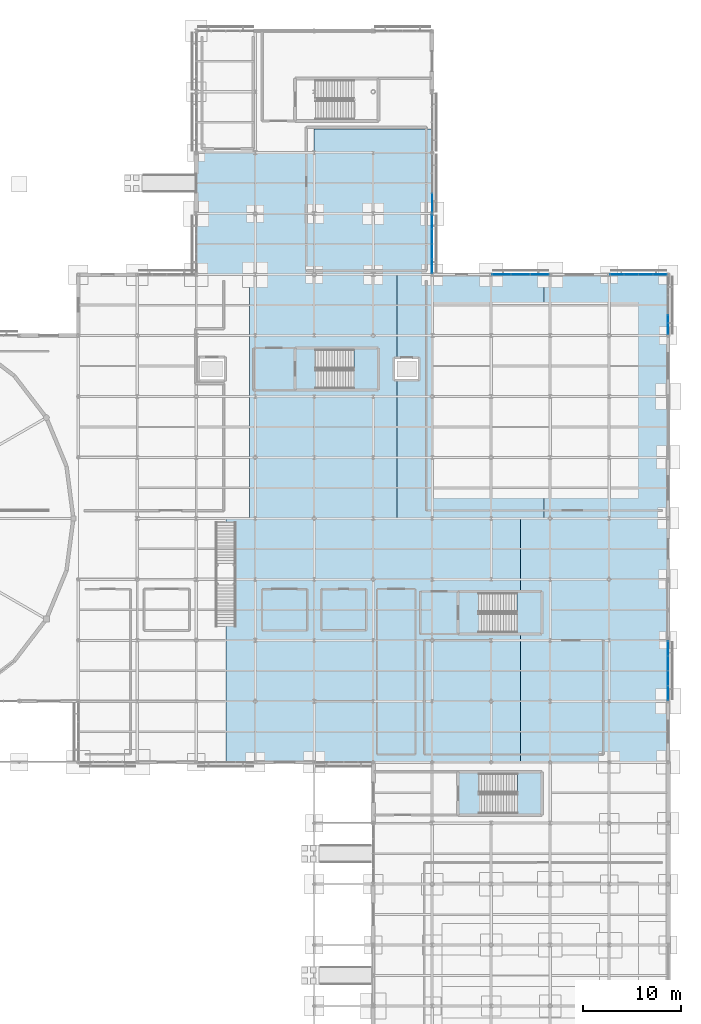
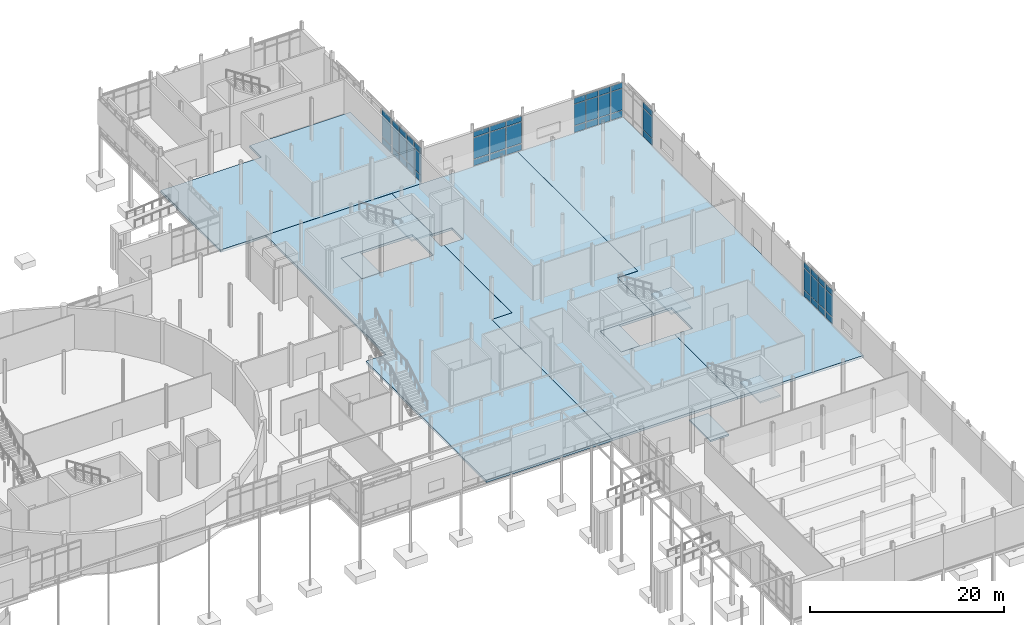
# One storey, part 65 of 98: 51 plates, 10 slabs, 9 elements without a shape of their own.
"""IFC4 building model written with IfcOpenShell, lengths in metres."""

from ifc_helpers import new_model, si_unit, direction, frame, origin, origin_2d, place, context, subcontext, project, spatial, polyline, rectangle, outline, extrude, material, layer, layer_set, type_object, element, aggregate, save


model = new_model("IFC4")

# Units and contexts
model_context = context("Model", 3, precision=1e-05, world=origin(), true_north=direction((0.0, 1.0)))
body_context = subcontext(model_context, "Body", "Model", "MODEL_VIEW")
ifc_project = project(units=[si_unit("LENGTHUNIT", "METRE"), si_unit("AREAUNIT", "SQUARE_METRE"), si_unit("VOLUMEUNIT", "CUBIC_METRE"), si_unit("PLANEANGLEUNIT", "RADIAN"), si_unit("MASSUNIT", "GRAM", prefix="KILO")], contexts=[model_context])

# Site, building, storey
site_placement = place(None, origin())
site = spatial("IfcSite", under=ifc_project, at=site_placement, CompositionType="ELEMENT")
building_placement = place(site_placement, origin())
building = spatial("IfcBuilding", under=site, at=building_placement, Name="Mirzam Square Science Centre", CompositionType="ELEMENT")
storey_placement = place(building_placement, origin())
storey = spatial("IfcBuildingStorey", under=building, at=storey_placement, Name="L00", CompositionType="ELEMENT", Elevation=0.0)

# Curtain wall, plates
ifc_material_1 = material(Name="Anodised Aluminium and Low-E Solar Glass", Category="aluminium")
ifc_layer_1 = layer(ifc_material_1, 0.159912109375)
ifc_layer_set_1 = layer_set([ifc_layer_1], Name="CW-COURT-B")
curtain_wall_type_1 = type_object("IfcCurtainWallType", Name="CW-COURT-B", PredefinedType="USERDEFINED", material=ifc_layer_set_1)
curtain_wall_1_placement = place(storey_placement, origin())
curtain_wall_1 = element("IfcCurtainWall", 1, at=curtain_wall_1_placement, inside=storey, type_object=curtain_wall_type_1, Name="L00 unitised curtain wall 67", ObjectType="UNITISED CURTAIN WALL", PredefinedType="USERDEFINED")
ifc_material_2 = material(Name="Ceramic-Fritted Courtyard Solar Glass", Category="glass")
ifc_layer_2 = layer(ifc_material_2, 0.02392578125)
ifc_layer_set_2 = layer_set([ifc_layer_2], Name="CWP-GLZ-24")
plate_type_1 = type_object("IfcPlateType", Name="CWP-GLZ-24", PredefinedType="CURTAIN_PANEL", material=ifc_layer_set_2)
plate_1_placement = place(storey_placement, frame((162.0, 44.231201171875, 0.06005859375), z_axis=(0.0, 0.0, 1.0), x_axis=(0.0, 1.0, 0.0)))
plate_1 = element("IfcPlate", 2, at=plate_1_placement, type_object=plate_type_1, Name="CW-04 panel 1.1", PredefinedType="CURTAIN_PANEL", context=body_context, shape_type="SweptSolid", body=[
    extrude(rectangle(XDim=1.4326171875, YDim=0.02392578125, at=origin_2d()), origin(), (0.0, 0.0, 1.0), 0.81005859375),
])
plate_2_placement = place(storey_placement, frame((162.0, 44.231201171875, 0.93017578125), z_axis=(0.0, 0.0, 1.0), x_axis=(0.0, 1.0, 0.0)))
plate_2 = element("IfcPlate", 3, at=plate_2_placement, type_object=plate_type_1, Name="CW-04 panel 1.2", PredefinedType="CURTAIN_PANEL", context=body_context, shape_type="SweptSolid", body=[
    extrude(rectangle(XDim=1.4326171875, YDim=0.02392578125, at=origin_2d()), origin(), (0.0, 0.0, 1.0), 2.679931640625),
])
plate_3_placement = place(storey_placement, frame((162.0, 44.231201171875, 3.669921875), z_axis=(0.0, 0.0, 1.0), x_axis=(0.0, 1.0, 0.0)))
plate_3 = element("IfcPlate", 4, at=plate_3_placement, type_object=plate_type_1, Name="CW-04 panel 1.3", PredefinedType="CURTAIN_PANEL", context=body_context, shape_type="SweptSolid", body=[
    extrude(rectangle(XDim=1.4326171875, YDim=0.02392578125, at=origin_2d()), origin(), (0.0, 0.0, 1.0), 0.7099609375),
])
plate_4_placement = place(storey_placement, frame((162.0, 45.73876953125, 0.06005859375), z_axis=(0.0, 0.0, 1.0), x_axis=(0.0, 1.0, 0.0)))
plate_4 = element("IfcPlate", 5, at=plate_4_placement, type_object=plate_type_1, Name="CW-04 panel 2.1", PredefinedType="CURTAIN_PANEL", context=body_context, shape_type="SweptSolid", body=[
    extrude(rectangle(XDim=1.46240234375, YDim=0.02392578125, at=origin_2d()), origin(), (0.0, 0.0, 1.0), 0.81005859375),
])
plate_5_placement = place(storey_placement, frame((162.0, 45.73876953125, 0.93017578125), z_axis=(0.0, 0.0, 1.0), x_axis=(0.0, 1.0, 0.0)))
plate_5 = element("IfcPlate", 6, at=plate_5_placement, type_object=plate_type_1, Name="CW-04 panel 2.2", PredefinedType="CURTAIN_PANEL", context=body_context, shape_type="SweptSolid", body=[
    extrude(rectangle(XDim=1.46240234375, YDim=0.02392578125, at=origin_2d()), origin(), (0.0, 0.0, 1.0), 2.679931640625),
])
plate_6_placement = place(storey_placement, frame((162.0, 45.73876953125, 3.669921875), z_axis=(0.0, 0.0, 1.0), x_axis=(0.0, 1.0, 0.0)))
plate_6 = element("IfcPlate", 7, at=plate_6_placement, type_object=plate_type_1, Name="CW-04 panel 2.3", PredefinedType="CURTAIN_PANEL", context=body_context, shape_type="SweptSolid", body=[
    extrude(rectangle(XDim=1.46240234375, YDim=0.02392578125, at=origin_2d()), origin(), (0.0, 0.0, 1.0), 0.7099609375),
])
plate_7_placement = place(storey_placement, frame((162.0, 47.26123046875, 0.06005859375), z_axis=(0.0, 0.0, 1.0), x_axis=(0.0, 1.0, 0.0)))
plate_7 = element("IfcPlate", 8, at=plate_7_placement, type_object=plate_type_1, Name="CW-04 panel 3.1", PredefinedType="CURTAIN_PANEL", context=body_context, shape_type="SweptSolid", body=[
    extrude(rectangle(XDim=1.46240234375, YDim=0.02392578125, at=origin_2d()), origin(), (0.0, 0.0, 1.0), 0.81005859375),
])
plate_8_placement = place(storey_placement, frame((162.0, 47.26123046875, 0.93017578125), z_axis=(0.0, 0.0, 1.0), x_axis=(0.0, 1.0, 0.0)))
plate_8 = element("IfcPlate", 9, at=plate_8_placement, type_object=plate_type_1, Name="CW-04 panel 3.2", PredefinedType="CURTAIN_PANEL", context=body_context, shape_type="SweptSolid", body=[
    extrude(rectangle(XDim=1.46240234375, YDim=0.02392578125, at=origin_2d()), origin(), (0.0, 0.0, 1.0), 2.679931640625),
])
plate_9_placement = place(storey_placement, frame((162.0, 47.26123046875, 3.669921875), z_axis=(0.0, 0.0, 1.0), x_axis=(0.0, 1.0, 0.0)))
plate_9 = element("IfcPlate", 10, at=plate_9_placement, type_object=plate_type_1, Name="CW-04 panel 3.3", PredefinedType="CURTAIN_PANEL", context=body_context, shape_type="SweptSolid", body=[
    extrude(rectangle(XDim=1.46240234375, YDim=0.02392578125, at=origin_2d()), origin(), (0.0, 0.0, 1.0), 0.7099609375),
])
plate_10_placement = place(storey_placement, frame((162.0, 48.768798828125, 0.06005859375), z_axis=(0.0, 0.0, 1.0), x_axis=(0.0, 1.0, 0.0)))
plate_10 = element("IfcPlate", 11, at=plate_10_placement, type_object=plate_type_1, Name="CW-04 panel 4.1", PredefinedType="CURTAIN_PANEL", context=body_context, shape_type="SweptSolid", body=[
    extrude(rectangle(XDim=1.4326171875, YDim=0.02392578125, at=origin_2d()), origin(), (0.0, 0.0, 1.0), 0.81005859375),
])
plate_11_placement = place(storey_placement, frame((162.0, 48.768798828125, 0.93017578125), z_axis=(0.0, 0.0, 1.0), x_axis=(0.0, 1.0, 0.0)))
plate_11 = element("IfcPlate", 12, at=plate_11_placement, type_object=plate_type_1, Name="CW-04 panel 4.2", PredefinedType="CURTAIN_PANEL", context=body_context, shape_type="SweptSolid", body=[
    extrude(rectangle(XDim=1.4326171875, YDim=0.02392578125, at=origin_2d()), origin(), (0.0, 0.0, 1.0), 2.679931640625),
])
plate_12_placement = place(storey_placement, frame((162.0, 48.768798828125, 3.669921875), z_axis=(0.0, 0.0, 1.0), x_axis=(0.0, 1.0, 0.0)))
plate_12 = element("IfcPlate", 13, at=plate_12_placement, type_object=plate_type_1, Name="CW-04 panel 4.3", PredefinedType="CURTAIN_PANEL", context=body_context, shape_type="SweptSolid", body=[
    extrude(rectangle(XDim=1.4326171875, YDim=0.02392578125, at=origin_2d()), origin(), (0.0, 0.0, 1.0), 0.7099609375),
])
aggregate(curtain_wall_1, [plate_1, plate_2, plate_3, plate_4, plate_5, plate_6, plate_7, plate_8, plate_9, plate_10, plate_11, plate_12])

curtain_wall_2_placement = place(storey_placement, origin())
curtain_wall_2 = element("IfcCurtainWall", 14, at=curtain_wall_2_placement, inside=storey, type_object=curtain_wall_type_1, Name="L00 unitised curtain wall 69", ObjectType="UNITISED CURTAIN WALL", PredefinedType="USERDEFINED")
plate_13_placement = place(storey_placement, frame((161.19384765625, 86.800048828125, 0.06005859375), z_axis=(0.0, 0.0, 1.0), x_axis=(-1.0, 0.0, 0.0)))
plate_13 = element("IfcPlate", 15, at=plate_13_placement, type_object=plate_type_1, Name="CW-04 panel 1.1", PredefinedType="CURTAIN_PANEL", context=body_context, shape_type="SweptSolid", body=[
    extrude(rectangle(XDim=1.382568359375, YDim=0.02392578125, at=origin_2d()), origin(), (0.0, 0.0, 1.0), 0.81005859375),
])
plate_14_placement = place(storey_placement, frame((161.19384765625, 86.800048828125, 0.93017578125), z_axis=(0.0, 0.0, 1.0), x_axis=(-1.0, 0.0, 0.0)))
plate_14 = element("IfcPlate", 16, at=plate_14_placement, type_object=plate_type_1, Name="CW-04 panel 1.2", PredefinedType="CURTAIN_PANEL", context=body_context, shape_type="SweptSolid", body=[
    extrude(rectangle(XDim=1.382568359375, YDim=0.02392578125, at=origin_2d()), origin(), (0.0, 0.0, 1.0), 2.679931640625),
])
plate_15_placement = place(storey_placement, frame((161.19384765625, 86.800048828125, 3.669921875), z_axis=(0.0, 0.0, 1.0), x_axis=(-1.0, 0.0, 0.0)))
plate_15 = element("IfcPlate", 17, at=plate_15_placement, type_object=plate_type_1, Name="CW-04 panel 1.3", PredefinedType="CURTAIN_PANEL", context=body_context, shape_type="SweptSolid", body=[
    extrude(rectangle(XDim=1.382568359375, YDim=0.02392578125, at=origin_2d()), origin(), (0.0, 0.0, 1.0), 0.7099609375),
])
plate_16_placement = place(storey_placement, frame((159.736328125, 86.800048828125, 0.06005859375), z_axis=(0.0, 0.0, 1.0), x_axis=(-1.0, 0.0, 0.0)))
plate_16 = element("IfcPlate", 18, at=plate_16_placement, type_object=plate_type_1, Name="CW-04 panel 2.1", PredefinedType="CURTAIN_PANEL", context=body_context, shape_type="SweptSolid", body=[
    extrude(rectangle(XDim=1.41259765625, YDim=0.02392578125, at=origin_2d()), origin(), (0.0, 0.0, 1.0), 0.81005859375),
])
plate_17_placement = place(storey_placement, frame((159.736328125, 86.800048828125, 0.93017578125), z_axis=(0.0, 0.0, 1.0), x_axis=(-1.0, 0.0, 0.0)))
plate_17 = element("IfcPlate", 19, at=plate_17_placement, type_object=plate_type_1, Name="CW-04 panel 2.2", PredefinedType="CURTAIN_PANEL", context=body_context, shape_type="SweptSolid", body=[
    extrude(rectangle(XDim=1.41259765625, YDim=0.02392578125, at=origin_2d()), origin(), (0.0, 0.0, 1.0), 2.679931640625),
])
plate_18_placement = place(storey_placement, frame((159.736328125, 86.800048828125, 3.669921875), z_axis=(0.0, 0.0, 1.0), x_axis=(-1.0, 0.0, 0.0)))
plate_18 = element("IfcPlate", 20, at=plate_18_placement, type_object=plate_type_1, Name="CW-04 panel 2.3", PredefinedType="CURTAIN_PANEL", context=body_context, shape_type="SweptSolid", body=[
    extrude(rectangle(XDim=1.41259765625, YDim=0.02392578125, at=origin_2d()), origin(), (0.0, 0.0, 1.0), 0.7099609375),
])
plate_19_placement = place(storey_placement, frame((158.263671875, 86.800048828125, 0.06005859375), z_axis=(0.0, 0.0, 1.0), x_axis=(-1.0, 0.0, 0.0)))
plate_19 = element("IfcPlate", 21, at=plate_19_placement, type_object=plate_type_1, Name="CW-04 panel 3.1", PredefinedType="CURTAIN_PANEL", context=body_context, shape_type="SweptSolid", body=[
    extrude(rectangle(XDim=1.41259765625, YDim=0.02392578125, at=origin_2d()), origin(), (0.0, 0.0, 1.0), 0.81005859375),
])
plate_20_placement = place(storey_placement, frame((158.263671875, 86.800048828125, 0.93017578125), z_axis=(0.0, 0.0, 1.0), x_axis=(-1.0, 0.0, 0.0)))
plate_20 = element("IfcPlate", 22, at=plate_20_placement, type_object=plate_type_1, Name="CW-04 panel 3.2", PredefinedType="CURTAIN_PANEL", context=body_context, shape_type="SweptSolid", body=[
    extrude(rectangle(XDim=1.41259765625, YDim=0.02392578125, at=origin_2d()), origin(), (0.0, 0.0, 1.0), 2.679931640625),
])
plate_21_placement = place(storey_placement, frame((158.263671875, 86.800048828125, 3.669921875), z_axis=(0.0, 0.0, 1.0), x_axis=(-1.0, 0.0, 0.0)))
plate_21 = element("IfcPlate", 23, at=plate_21_placement, type_object=plate_type_1, Name="CW-04 panel 3.3", PredefinedType="CURTAIN_PANEL", context=body_context, shape_type="SweptSolid", body=[
    extrude(rectangle(XDim=1.41259765625, YDim=0.02392578125, at=origin_2d()), origin(), (0.0, 0.0, 1.0), 0.7099609375),
])
plate_22_placement = place(storey_placement, frame((156.80615234375, 86.800048828125, 0.06005859375), z_axis=(0.0, 0.0, 1.0), x_axis=(-1.0, 0.0, 0.0)))
plate_22 = element("IfcPlate", 24, at=plate_22_placement, type_object=plate_type_1, Name="CW-04 panel 4.1", PredefinedType="CURTAIN_PANEL", context=body_context, shape_type="SweptSolid", body=[
    extrude(rectangle(XDim=1.382568359375, YDim=0.02392578125, at=origin_2d()), origin(), (0.0, 0.0, 1.0), 0.81005859375),
])
plate_23_placement = place(storey_placement, frame((156.80615234375, 86.800048828125, 0.93017578125), z_axis=(0.0, 0.0, 1.0), x_axis=(-1.0, 0.0, 0.0)))
plate_23 = element("IfcPlate", 25, at=plate_23_placement, type_object=plate_type_1, Name="CW-04 panel 4.2", PredefinedType="CURTAIN_PANEL", context=body_context, shape_type="SweptSolid", body=[
    extrude(rectangle(XDim=1.382568359375, YDim=0.02392578125, at=origin_2d()), origin(), (0.0, 0.0, 1.0), 2.679931640625),
])
plate_24_placement = place(storey_placement, frame((156.80615234375, 86.800048828125, 3.669921875), z_axis=(0.0, 0.0, 1.0), x_axis=(-1.0, 0.0, 0.0)))
plate_24 = element("IfcPlate", 26, at=plate_24_placement, type_object=plate_type_1, Name="CW-04 panel 4.3", PredefinedType="CURTAIN_PANEL", context=body_context, shape_type="SweptSolid", body=[
    extrude(rectangle(XDim=1.382568359375, YDim=0.02392578125, at=origin_2d()), origin(), (0.0, 0.0, 1.0), 0.7099609375),
])
aggregate(curtain_wall_2, [plate_13, plate_14, plate_15, plate_16, plate_17, plate_18, plate_19, plate_20, plate_21, plate_22, plate_23, plate_24])

ifc_layer_3 = layer(ifc_material_1, 0.239990234375)
ifc_layer_set_3 = layer_set([ifc_layer_3], Name="CW-EAST-B")
curtain_wall_type_2 = type_object("IfcCurtainWallType", Name="CW-EAST-B", PredefinedType="USERDEFINED", material=ifc_layer_set_3)
curtain_wall_3_placement = place(storey_placement, origin())
curtain_wall_3 = element("IfcCurtainWall", 27, at=curtain_wall_3_placement, inside=storey, type_object=curtain_wall_type_2, Name="L00 unitised curtain wall 70", ObjectType="UNITISED CURTAIN WALL", PredefinedType="USERDEFINED")
ifc_material_3 = material(Name="Double-Silver Low-E Insulated Solar Glass", Category="glass")
ifc_layer_4 = layer(ifc_material_3, 0.028076171875)
ifc_layer_set_4 = layer_set([ifc_layer_4], Name="CWP-GLZ-28")
plate_type_2 = type_object("IfcPlateType", Name="CWP-GLZ-28", PredefinedType="CURTAIN_PANEL", material=ifc_layer_set_4)
plate_25_placement = place(storey_placement, frame((148.944580078125, 86.800048828125, 0.074951171875), z_axis=(0.0, 0.0, 1.0), x_axis=(-1.0, 0.0, 0.0)))
plate_25 = element("IfcPlate", 28, at=plate_25_placement, type_object=plate_type_2, Name="CW-06 panel 1.1", PredefinedType="CURTAIN_PANEL", context=body_context, shape_type="SweptSolid", body=[
    extrude(rectangle(XDim=1.850830078125, YDim=0.028076171875, at=origin_2d()), origin(), (0.0, 0.0, 1.0), 0.78759765625),
])
plate_26_placement = place(storey_placement, frame((148.944580078125, 86.800048828125, 0.9375), z_axis=(0.0, 0.0, 1.0), x_axis=(-1.0, 0.0, 0.0)))
plate_26 = element("IfcPlate", 29, at=plate_26_placement, type_object=plate_type_2, Name="CW-06 panel 1.2", PredefinedType="CURTAIN_PANEL", context=body_context, shape_type="SweptSolid", body=[
    extrude(rectangle(XDim=1.850830078125, YDim=0.028076171875, at=origin_2d()), origin(), (0.0, 0.0, 1.0), 2.6650390625),
])
plate_27_placement = place(storey_placement, frame((148.944580078125, 86.800048828125, 3.677490234375), z_axis=(0.0, 0.0, 1.0), x_axis=(-1.0, 0.0, 0.0)))
plate_27 = element("IfcPlate", 30, at=plate_27_placement, type_object=plate_type_2, Name="CW-06 panel 1.3", PredefinedType="CURTAIN_PANEL", context=body_context, shape_type="SweptSolid", body=[
    extrude(rectangle(XDim=1.850830078125, YDim=0.028076171875, at=origin_2d()), origin(), (0.0, 0.0, 1.0), 0.6875),
])
plate_28_placement = place(storey_placement, frame((147.0, 86.800048828125, 0.074951171875), z_axis=(0.0, 0.0, 1.0), x_axis=(-1.0, 0.0, 0.0)))
plate_28 = element("IfcPlate", 31, at=plate_28_placement, type_object=plate_type_2, Name="CW-06 panel 2.1", PredefinedType="CURTAIN_PANEL", context=body_context, shape_type="SweptSolid", body=[
    extrude(rectangle(XDim=1.888427734375, YDim=0.028076171875, at=origin_2d()), origin(), (0.0, 0.0, 1.0), 0.78759765625),
])
plate_29_placement = place(storey_placement, frame((147.0, 86.800048828125, 0.9375), z_axis=(0.0, 0.0, 1.0), x_axis=(-1.0, 0.0, 0.0)))
plate_29 = element("IfcPlate", 32, at=plate_29_placement, type_object=plate_type_2, Name="CW-06 panel 2.2", PredefinedType="CURTAIN_PANEL", context=body_context, shape_type="SweptSolid", body=[
    extrude(rectangle(XDim=1.888427734375, YDim=0.028076171875, at=origin_2d()), origin(), (0.0, 0.0, 1.0), 2.6650390625),
])
plate_30_placement = place(storey_placement, frame((147.0, 86.800048828125, 3.677490234375), z_axis=(0.0, 0.0, 1.0), x_axis=(-1.0, 0.0, 0.0)))
plate_30 = element("IfcPlate", 33, at=plate_30_placement, type_object=plate_type_2, Name="CW-06 panel 2.3", PredefinedType="CURTAIN_PANEL", context=body_context, shape_type="SweptSolid", body=[
    extrude(rectangle(XDim=1.888427734375, YDim=0.028076171875, at=origin_2d()), origin(), (0.0, 0.0, 1.0), 0.6875),
])
plate_31_placement = place(storey_placement, frame((145.055419921875, 86.800048828125, 0.074951171875), z_axis=(0.0, 0.0, 1.0), x_axis=(-1.0, 0.0, 0.0)))
plate_31 = element("IfcPlate", 34, at=plate_31_placement, type_object=plate_type_2, Name="CW-06 panel 3.1", PredefinedType="CURTAIN_PANEL", context=body_context, shape_type="SweptSolid", body=[
    extrude(rectangle(XDim=1.850830078125, YDim=0.028076171875, at=origin_2d()), origin(), (0.0, 0.0, 1.0), 0.78759765625),
])
plate_32_placement = place(storey_placement, frame((145.055419921875, 86.800048828125, 0.9375), z_axis=(0.0, 0.0, 1.0), x_axis=(-1.0, 0.0, 0.0)))
plate_32 = element("IfcPlate", 35, at=plate_32_placement, type_object=plate_type_2, Name="CW-06 panel 3.2", PredefinedType="CURTAIN_PANEL", context=body_context, shape_type="SweptSolid", body=[
    extrude(rectangle(XDim=1.850830078125, YDim=0.028076171875, at=origin_2d()), origin(), (0.0, 0.0, 1.0), 2.6650390625),
])
plate_33_placement = place(storey_placement, frame((145.055419921875, 86.800048828125, 3.677490234375), z_axis=(0.0, 0.0, 1.0), x_axis=(-1.0, 0.0, 0.0)))
plate_33 = element("IfcPlate", 36, at=plate_33_placement, type_object=plate_type_2, Name="CW-06 panel 3.3", PredefinedType="CURTAIN_PANEL", context=body_context, shape_type="SweptSolid", body=[
    extrude(rectangle(XDim=1.850830078125, YDim=0.028076171875, at=origin_2d()), origin(), (0.0, 0.0, 1.0), 0.6875),
])
aggregate(curtain_wall_3, [plate_25, plate_26, plate_27, plate_28, plate_29, plate_30, plate_31, plate_32, plate_33])

curtain_wall_4_placement = place(storey_placement, origin())
curtain_wall_4 = element("IfcCurtainWall", 37, at=curtain_wall_4_placement, inside=storey, type_object=curtain_wall_type_2, Name="L00 unitised curtain wall 77", ObjectType="UNITISED CURTAIN WALL", PredefinedType="USERDEFINED")
plate_34_placement = place(storey_placement, frame((138.0, 94.0888671875, 0.074951171875), z_axis=(0.0, 0.0, 1.0), x_axis=(0.0, 1.0, 0.0)))
plate_34 = element("IfcPlate", 38, at=plate_34_placement, type_object=plate_type_2, Name="CW-06 panel 1.1", PredefinedType="CURTAIN_PANEL", context=body_context, shape_type="SweptSolid", body=[
    extrude(rectangle(XDim=1.91748046875, YDim=0.028076171875, at=origin_2d()), origin(), (0.0, 0.0, 1.0), 0.78759765625),
])
plate_35_placement = place(storey_placement, frame((138.0, 94.0888671875, 0.9375), z_axis=(0.0, 0.0, 1.0), x_axis=(0.0, 1.0, 0.0)))
plate_35 = element("IfcPlate", 39, at=plate_35_placement, type_object=plate_type_2, Name="CW-06 panel 1.2", PredefinedType="CURTAIN_PANEL", context=body_context, shape_type="SweptSolid", body=[
    extrude(rectangle(XDim=1.91748046875, YDim=0.028076171875, at=origin_2d()), origin(), (0.0, 0.0, 1.0), 2.6650390625),
])
plate_36_placement = place(storey_placement, frame((138.0, 94.0888671875, 3.677490234375), z_axis=(0.0, 0.0, 1.0), x_axis=(0.0, 1.0, 0.0)))
plate_36 = element("IfcPlate", 40, at=plate_36_placement, type_object=plate_type_2, Name="CW-06 panel 1.3", PredefinedType="CURTAIN_PANEL", context=body_context, shape_type="SweptSolid", body=[
    extrude(rectangle(XDim=1.91748046875, YDim=0.028076171875, at=origin_2d()), origin(), (0.0, 0.0, 1.0), 0.6875),
])
aggregate(curtain_wall_4, [plate_34, plate_35, plate_36])

ifc_layer_5 = layer(ifc_material_1, 0.199951171875)
ifc_layer_set_5 = layer_set([ifc_layer_5], Name="CW-PARK-B")
curtain_wall_type_3 = type_object("IfcCurtainWallType", Name="CW-PARK-B", PredefinedType="USERDEFINED", material=ifc_layer_set_5)
curtain_wall_5_placement = place(storey_placement, origin())
curtain_wall_5 = element("IfcCurtainWall", 41, at=curtain_wall_5_placement, inside=storey, type_object=curtain_wall_type_3, Name="L00 unitised curtain wall 68", ObjectType="UNITISED CURTAIN WALL", PredefinedType="USERDEFINED")
ifc_material_4 = material(Name="Acoustic Laminated Solar Spandrel Glass", Category="glass")
ifc_layer_6 = layer(ifc_material_4, 0.0400390625)
ifc_layer_set_6 = layer_set([ifc_layer_6], Name="CWP-GLZ-40")
plate_type_3 = type_object("IfcPlateType", Name="CWP-GLZ-40", PredefinedType="CURTAIN_PANEL", material=ifc_layer_set_6)
plate_37_placement = place(storey_placement, frame((162.0, 81.68505859375, 0.06005859375), z_axis=(0.0, 0.0, 1.0), x_axis=(0.0, 1.0, 0.0)))
plate_37 = element("IfcPlate", 42, at=plate_37_placement, type_object=plate_type_3, Name="CW-02 panel 1.1", PredefinedType="CURTAIN_PANEL", context=body_context, shape_type="SweptSolid", body=[
    extrude(rectangle(XDim=1.93994140625, YDim=0.0400390625, at=origin_2d()), origin(), (0.0, 0.0, 1.0), 0.81005859375),
])
plate_38_placement = place(storey_placement, frame((162.0, 81.68505859375, 0.93017578125), z_axis=(0.0, 0.0, 1.0), x_axis=(0.0, 1.0, 0.0)))
plate_38 = element("IfcPlate", 43, at=plate_38_placement, type_object=plate_type_3, Name="CW-02 panel 1.2", PredefinedType="CURTAIN_PANEL", context=body_context, shape_type="SweptSolid", body=[
    extrude(rectangle(XDim=1.93994140625, YDim=0.0400390625, at=origin_2d()), origin(), (0.0, 0.0, 1.0), 2.679931640625),
])
plate_39_placement = place(storey_placement, frame((162.0, 81.68505859375, 3.669921875), z_axis=(0.0, 0.0, 1.0), x_axis=(0.0, 1.0, 0.0)))
plate_39 = element("IfcPlate", 44, at=plate_39_placement, type_object=plate_type_3, Name="CW-02 panel 1.3", PredefinedType="CURTAIN_PANEL", context=body_context, shape_type="SweptSolid", body=[
    extrude(rectangle(XDim=1.93994140625, YDim=0.0400390625, at=origin_2d()), origin(), (0.0, 0.0, 1.0), 0.7099609375),
])
aggregate(curtain_wall_5, [plate_37, plate_38, plate_39])

ifc_layer_7 = layer(ifc_material_1, 0.199951171875)
ifc_layer_set_7 = layer_set([ifc_layer_7], Name="CW-EAST-A")
curtain_wall_type_4 = type_object("IfcCurtainWallType", Name="CW-EAST-A", PredefinedType="USERDEFINED", material=ifc_layer_set_7)
curtain_wall_6_placement = place(storey_placement, origin())
curtain_wall_6 = element("IfcCurtainWall", 45, at=curtain_wall_6_placement, inside=storey, type_object=curtain_wall_type_4, Name="L00 unitised curtain wall 76", ObjectType="UNITISED CURTAIN WALL", PredefinedType="USERDEFINED")
plate_40_placement = place(storey_placement, frame((138.0, 87.632568359375, 0.06494140625), z_axis=(0.0, 0.0, 1.0), x_axis=(0.0, 1.0, 0.0)))
plate_40 = element("IfcPlate", 46, at=plate_40_placement, type_object=plate_type_3, Name="CW-05 panel 1.1", PredefinedType="CURTAIN_PANEL", context=body_context, shape_type="SweptSolid", body=[
    extrude(rectangle(XDim=1.425048828125, YDim=0.0400390625, at=origin_2d()), origin(), (0.0, 0.0, 1.0), 0.802490234375),
])
plate_41_placement = place(storey_placement, frame((138.0, 87.632568359375, 0.9326171875), z_axis=(0.0, 0.0, 1.0), x_axis=(0.0, 1.0, 0.0)))
plate_41 = element("IfcPlate", 47, at=plate_41_placement, type_object=plate_type_3, Name="CW-05 panel 1.2", PredefinedType="CURTAIN_PANEL", context=body_context, shape_type="SweptSolid", body=[
    extrude(rectangle(XDim=1.425048828125, YDim=0.0400390625, at=origin_2d()), origin(), (0.0, 0.0, 1.0), 2.675048828125),
])
plate_42_placement = place(storey_placement, frame((138.0, 87.632568359375, 3.67236328125), z_axis=(0.0, 0.0, 1.0), x_axis=(0.0, 1.0, 0.0)))
plate_42 = element("IfcPlate", 48, at=plate_42_placement, type_object=plate_type_3, Name="CW-05 panel 1.3", PredefinedType="CURTAIN_PANEL", context=body_context, shape_type="SweptSolid", body=[
    extrude(rectangle(XDim=1.425048828125, YDim=0.0400390625, at=origin_2d()), origin(), (0.0, 0.0, 1.0), 0.702392578125),
])
plate_43_placement = place(storey_placement, frame((138.0, 89.138671875, 0.06494140625), z_axis=(0.0, 0.0, 1.0), x_axis=(0.0, 1.0, 0.0)))
plate_43 = element("IfcPlate", 49, at=plate_43_placement, type_object=plate_type_3, Name="CW-05 panel 2.1", PredefinedType="CURTAIN_PANEL", context=body_context, shape_type="SweptSolid", body=[
    extrude(rectangle(XDim=1.45751953125, YDim=0.0400390625, at=origin_2d()), origin(), (0.0, 0.0, 1.0), 0.802490234375),
])
plate_44_placement = place(storey_placement, frame((138.0, 89.138671875, 0.9326171875), z_axis=(0.0, 0.0, 1.0), x_axis=(0.0, 1.0, 0.0)))
plate_44 = element("IfcPlate", 50, at=plate_44_placement, type_object=plate_type_3, Name="CW-05 panel 2.2", PredefinedType="CURTAIN_PANEL", context=body_context, shape_type="SweptSolid", body=[
    extrude(rectangle(XDim=1.45751953125, YDim=0.0400390625, at=origin_2d()), origin(), (0.0, 0.0, 1.0), 2.675048828125),
])
plate_45_placement = place(storey_placement, frame((138.0, 89.138671875, 3.67236328125), z_axis=(0.0, 0.0, 1.0), x_axis=(0.0, 1.0, 0.0)))
plate_45 = element("IfcPlate", 51, at=plate_45_placement, type_object=plate_type_3, Name="CW-05 panel 2.3", PredefinedType="CURTAIN_PANEL", context=body_context, shape_type="SweptSolid", body=[
    extrude(rectangle(XDim=1.45751953125, YDim=0.0400390625, at=origin_2d()), origin(), (0.0, 0.0, 1.0), 0.702392578125),
])
plate_46_placement = place(storey_placement, frame((138.0, 90.6611328125, 0.06494140625), z_axis=(0.0, 0.0, 1.0), x_axis=(0.0, 1.0, 0.0)))
plate_46 = element("IfcPlate", 52, at=plate_46_placement, type_object=plate_type_3, Name="CW-05 panel 3.1", PredefinedType="CURTAIN_PANEL", context=body_context, shape_type="SweptSolid", body=[
    extrude(rectangle(XDim=1.45751953125, YDim=0.0400390625, at=origin_2d()), origin(), (0.0, 0.0, 1.0), 0.802490234375),
])
plate_47_placement = place(storey_placement, frame((138.0, 90.6611328125, 0.9326171875), z_axis=(0.0, 0.0, 1.0), x_axis=(0.0, 1.0, 0.0)))
plate_47 = element("IfcPlate", 53, at=plate_47_placement, type_object=plate_type_3, Name="CW-05 panel 3.2", PredefinedType="CURTAIN_PANEL", context=body_context, shape_type="SweptSolid", body=[
    extrude(rectangle(XDim=1.45751953125, YDim=0.0400390625, at=origin_2d()), origin(), (0.0, 0.0, 1.0), 2.675048828125),
])
plate_48_placement = place(storey_placement, frame((138.0, 90.6611328125, 3.67236328125), z_axis=(0.0, 0.0, 1.0), x_axis=(0.0, 1.0, 0.0)))
plate_48 = element("IfcPlate", 54, at=plate_48_placement, type_object=plate_type_3, Name="CW-05 panel 3.3", PredefinedType="CURTAIN_PANEL", context=body_context, shape_type="SweptSolid", body=[
    extrude(rectangle(XDim=1.45751953125, YDim=0.0400390625, at=origin_2d()), origin(), (0.0, 0.0, 1.0), 0.702392578125),
])
plate_49_placement = place(storey_placement, frame((138.0, 92.16748046875, 0.06494140625), z_axis=(0.0, 0.0, 1.0), x_axis=(0.0, 1.0, 0.0)))
plate_49 = element("IfcPlate", 55, at=plate_49_placement, type_object=plate_type_3, Name="CW-05 panel 4.1", PredefinedType="CURTAIN_PANEL", context=body_context, shape_type="SweptSolid", body=[
    extrude(rectangle(XDim=1.425048828125, YDim=0.0400390625, at=origin_2d()), origin(), (0.0, 0.0, 1.0), 0.802490234375),
])
plate_50_placement = place(storey_placement, frame((138.0, 92.16748046875, 0.9326171875), z_axis=(0.0, 0.0, 1.0), x_axis=(0.0, 1.0, 0.0)))
plate_50 = element("IfcPlate", 56, at=plate_50_placement, type_object=plate_type_3, Name="CW-05 panel 4.2", PredefinedType="CURTAIN_PANEL", context=body_context, shape_type="SweptSolid", body=[
    extrude(rectangle(XDim=1.425048828125, YDim=0.0400390625, at=origin_2d()), origin(), (0.0, 0.0, 1.0), 2.675048828125),
])
plate_51_placement = place(storey_placement, frame((138.0, 92.16748046875, 3.67236328125), z_axis=(0.0, 0.0, 1.0), x_axis=(0.0, 1.0, 0.0)))
plate_51 = element("IfcPlate", 57, at=plate_51_placement, type_object=plate_type_3, Name="CW-05 panel 4.3", PredefinedType="CURTAIN_PANEL", context=body_context, shape_type="SweptSolid", body=[
    extrude(rectangle(XDim=1.425048828125, YDim=0.0400390625, at=origin_2d()), origin(), (0.0, 0.0, 1.0), 0.702392578125),
])
aggregate(curtain_wall_6, [plate_40, plate_41, plate_42, plate_43, plate_44, plate_45, plate_46, plate_47, plate_48, plate_49, plate_50, plate_51])

# Slabs
ifc_material_5 = material(Name="Concrete C45/55", Category="concrete")
ifc_layer_8 = layer(ifc_material_5, 0.300048828125)
ifc_layer_set_8 = layer_set([ifc_layer_8], Name="SL-GND-300")
slab_type_1 = type_object("IfcSlabType", Name="SL-GND-300", PredefinedType="FLOOR", material=ifc_layer_set_8)
slab_1_placement = place(storey_placement, frame((0.0, 0.0, -0.300048828125)))
element("IfcSlab", 58, at=slab_1_placement, inside=storey, type_object=slab_type_1, Name="L00 east 2 slab", PredefinedType="FLOOR", context=body_context, shape_type="SweptSolid", body=[
    extrude(outline(polyline([(132.0, 62.0), (132.0, 37.205078125), (117.0048828125, 37.199951171875), (117.0048828125, 61.9951171875), (119.405029296875, 61.9951171875), (119.405029296875, 86.800048828125), (134.39990234375, 86.800048828125), (134.39990234375, 78.35009765625), (134.10009765625, 78.35009765625), (134.10009765625, 76.050048828125), (134.39990234375, 76.050048828125), (134.39990234375, 62.0), (132.0, 62.0)]), holes=[polyline([(132.56005859375, 79.330078125), (124.0400390625, 79.330078125), (124.0400390625, 75.0400390625), (132.56005859375, 75.0400390625), (132.56005859375, 79.330078125)])]), origin(), (0.0, 0.0, 1.0), 0.300048828125),
])
slab_2_placement = place(storey_placement, frame((0.0, 0.0, -0.300048828125)))
element("IfcSlab", 59, at=slab_2_placement, inside=storey, type_object=slab_type_1, Name="L00 east 3 slab", PredefinedType="FLOOR", context=body_context, shape_type="SweptSolid", body=[
    extrude(outline(polyline([(136.699951171875, 76.050048828125), (136.699951171875, 78.35009765625), (134.405029296875, 78.35009765625), (134.405029296875, 86.800048828125), (149.39990234375, 86.800048828125), (149.39990234375, 62.0), (147.0, 62.0), (147.0, 54.570068359375), (140.639892578125, 54.570068359375), (140.639892578125, 50.239990234375), (147.0, 50.239990234375), (147.0, 37.205078125), (132.0048828125, 37.205078125), (132.0048828125, 61.9951171875), (134.405029296875, 61.9951171875), (134.405029296875, 76.050048828125), (136.699951171875, 76.050048828125)])), origin(), (0.0, 0.0, 1.0), 0.300048828125),
])
slab_3_placement = place(storey_placement, frame((0.0, 0.0, -0.300048828125)))
element("IfcSlab", 60, at=slab_3_placement, inside=storey, type_object=slab_type_1, Name="L00 east 4 slab", PredefinedType="FLOOR", context=body_context, shape_type="SweptSolid", body=[
    extrude(outline(polyline([(162.0, 86.800048828125), (162.0, 37.205078125), (147.0048828125, 37.205078125), (147.0048828125, 50.239990234375), (149.159912109375, 50.239990234375), (149.159912109375, 54.570068359375), (147.0048828125, 54.570068359375), (147.0048828125, 61.9951171875), (149.405029296875, 61.9951171875), (149.405029296875, 86.800048828125), (162.0, 86.800048828125)])), origin(), (0.0, 0.0, 1.0), 0.300048828125),
])
slab_4_placement = place(storey_placement, frame((0.0, 0.0, -0.300048828125)))
element("IfcSlab", 61, at=slab_4_placement, inside=storey, type_object=slab_type_1, Name="L00 ne obs base 1 slab", PredefinedType="FLOOR", context=body_context, shape_type="SweptSolid", body=[
    extrude(outline(polyline([(126.0, 99.199951171875), (126.0, 101.60009765625), (138.0, 101.60009765625), (138.0, 86.804931640625), (114.0, 86.804931640625), (114.0, 99.199951171875), (126.0, 99.199951171875)])), origin(), (0.0, 0.0, 1.0), 0.300048828125),
])

# Stair, slab
ifc_material_6 = material(Name="Concrete C40/50", Category="concrete")
stair_type_1 = type_object("IfcStairType", Name="ST-CORE-4-540", PredefinedType="HALF_TURN_STAIR", material=ifc_material_6)
stair_1_placement = place(storey_placement, origin())
stair_1 = element("IfcStair", 62, at=stair_1_placement, inside=storey, type_object=stair_type_1, Name="L00 ST-04", PredefinedType="HALF_TURN_STAIR")
ifc_layer_9 = layer(ifc_material_6, 0.199951171875)
ifc_layer_set_9 = layer_set([ifc_layer_9], Name="SL-LANDING-200")
slab_type_2 = type_object("IfcSlabType", Name="SL-LANDING-200", PredefinedType="LANDING", material=ifc_layer_set_9)
slab_5_placement = place(storey_placement, frame((0.0, 0.0, 2.5)))
slab_5 = element("IfcSlab", 63, at=slab_5_placement, type_object=slab_type_2, Name="ST-04 landing 1", PredefinedType="LANDING", context=body_context, shape_type="SweptSolid", body=[
    extrude(outline(polyline([(130.030029296875, 75.14990234375), (132.449951171875, 75.14990234375), (132.449951171875, 79.219970703125), (130.030029296875, 79.219970703125), (130.030029296875, 75.14990234375)])), origin(), (0.0, 0.0, 1.0), 0.199951171875),
])
aggregate(stair_1, [slab_5])

# Slab
slab_6_placement = place(storey_placement, frame((0.0, 0.0, -0.199951171875)))
element("IfcSlab", 64, at=slab_6_placement, inside=storey, type_object=slab_type_2, Name="L00 CORE-4 floor landing", PredefinedType="LANDING", context=body_context, shape_type="SweptSolid", body=[
    extrude(outline(polyline([(126.260009765625, 75.044921875), (124.044921875, 75.044921875), (124.044921875, 79.324951171875), (126.260009765625, 79.324951171875), (126.260009765625, 75.044921875)])), origin(), (0.0, 0.0, 1.0), 0.199951171875),
])

# Stair, slab
stair_type_2 = type_object("IfcStairType", Name="ST-CORE-5-540", PredefinedType="HALF_TURN_STAIR", material=ifc_material_6)
stair_2_placement = place(storey_placement, origin())
stair_2 = element("IfcStair", 65, at=stair_2_placement, inside=storey, type_object=stair_type_2, Name="L00 ST-05", PredefinedType="HALF_TURN_STAIR")
slab_7_placement = place(storey_placement, frame((0.0, 0.0, 2.5)))
slab_7 = element("IfcSlab", 66, at=slab_7_placement, type_object=slab_type_2, Name="ST-05 landing 1", PredefinedType="LANDING", context=body_context, shape_type="SweptSolid", body=[
    extrude(outline(polyline([(146.64990234375, 50.35009765625), (149.050048828125, 50.35009765625), (149.050048828125, 54.4599609375), (146.64990234375, 54.4599609375), (146.64990234375, 50.35009765625)])), origin(), (0.0, 0.0, 1.0), 0.199951171875),
])
aggregate(stair_2, [slab_7])

# Slab
slab_8_placement = place(storey_placement, frame((0.0, 0.0, -0.199951171875)))
element("IfcSlab", 67, at=slab_8_placement, inside=storey, type_object=slab_type_2, Name="L00 CORE-5 floor landing", PredefinedType="LANDING", context=body_context, shape_type="SweptSolid", body=[
    extrude(outline(polyline([(142.8798828125, 50.2451171875), (140.64501953125, 50.2451171875), (140.64501953125, 54.56494140625), (142.8798828125, 54.56494140625), (142.8798828125, 50.2451171875)])), origin(), (0.0, 0.0, 1.0), 0.199951171875),
])

# Stair, slab
stair_type_3 = type_object("IfcStairType", Name="ST-CORE-6-540", PredefinedType="HALF_TURN_STAIR", material=ifc_material_6)
stair_3_placement = place(storey_placement, origin())
stair_3 = element("IfcStair", 68, at=stair_3_placement, inside=storey, type_object=stair_type_3, Name="L00 ST-06", PredefinedType="HALF_TURN_STAIR")
slab_9_placement = place(storey_placement, frame((0.0, 0.0, 2.5)))
slab_9 = element("IfcSlab", 69, at=slab_9_placement, type_object=slab_type_2, Name="ST-06 landing 1", PredefinedType="LANDING", context=body_context, shape_type="SweptSolid", body=[
    extrude(outline(polyline([(146.669921875, 31.949951171875), (149.050048828125, 31.949951171875), (149.050048828125, 36.10009765625), (146.669921875, 36.10009765625), (146.669921875, 31.949951171875)])), origin(), (0.0, 0.0, 1.0), 0.199951171875),
])
aggregate(stair_3, [slab_9])

# Slab
slab_10_placement = place(storey_placement, frame((0.0, 0.0, -0.199951171875)))
element("IfcSlab", 70, at=slab_10_placement, inside=storey, type_object=slab_type_2, Name="L00 CORE-6 floor landing", PredefinedType="LANDING", context=body_context, shape_type="SweptSolid", body=[
    extrude(outline(polyline([(142.89990234375, 31.844970703125), (140.64501953125, 31.844970703125), (140.64501953125, 36.205078125), (142.89990234375, 36.205078125), (142.89990234375, 31.844970703125)])), origin(), (0.0, 0.0, 1.0), 0.199951171875),
])

save(model, "model.ifc")
